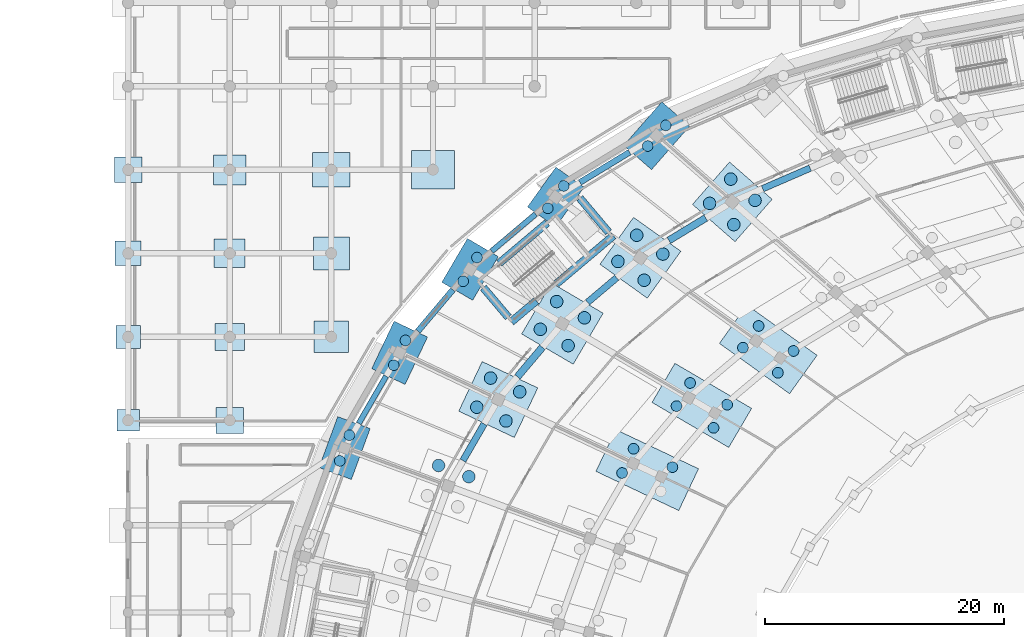
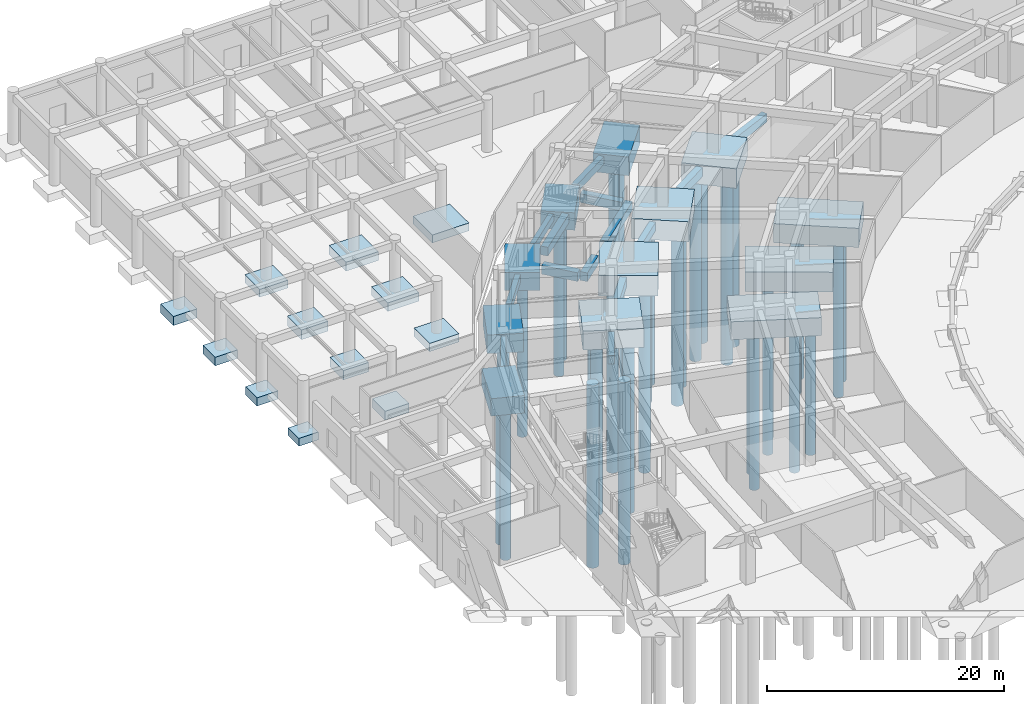
# One storey, part 9 of 88: 39 piles, 38 footings.
"""IFC4 building model written with IfcOpenShell, lengths in metres."""

from ifc_helpers import new_model, si_unit, direction, frame, origin, origin_2d, place, context, subcontext, project, spatial, rectangle, circle, extrude, material, material_profile, profile_set, type_object, element, save


model = new_model("IFC4")

# Units and contexts
model_context = context("Model", 3, precision=1e-05, world=origin(), true_north=direction((0.0, 1.0)))
body_context = subcontext(model_context, "Body", "Model", "MODEL_VIEW")
ifc_project = project(units=[si_unit("LENGTHUNIT", "METRE"), si_unit("AREAUNIT", "SQUARE_METRE"), si_unit("VOLUMEUNIT", "CUBIC_METRE"), si_unit("PLANEANGLEUNIT", "RADIAN"), si_unit("MASSUNIT", "GRAM", prefix="KILO")], contexts=[model_context])

# Site, building, storey
site_placement = place(None, origin())
site = spatial("IfcSite", under=ifc_project, at=site_placement, CompositionType="ELEMENT")
building_placement = place(site_placement, origin())
building = spatial("IfcBuilding", under=site, at=building_placement, Name="Mphavela Belvedere Stadium", CompositionType="ELEMENT")
storey_placement = place(building_placement, origin())
storey = spatial("IfcBuildingStorey", under=building, at=storey_placement, Name="L00", CompositionType="ELEMENT", Elevation=0.0)

# Footings
ifc_material_1 = material(Name="Concrete C35/45", Category="concrete")
footing_type_1 = type_object("IfcFootingType", Name="FTG-CORE-CF04", PredefinedType="PAD_FOOTING", material=ifc_material_1)
footing_1_placement = place(storey_placement, frame((33.163818359375, 134.140625, -0.89990234375), z_axis=(0.0, 0.0, 1.0), x_axis=(0.764246456939, 0.644924300253, 0.0)))
element("IfcFooting", 1, at=footing_1_placement, inside=storey, type_object=footing_type_1, Name="Core C05 shear wall foundation pad front seg 1", PredefinedType="PAD_FOOTING", context=body_context, shape_type="SweptSolid", body=[
    extrude(rectangle(XDim=2.75, YDim=0.64990234375, at=origin_2d()), origin(), (0.0, 0.0, 1.0), 0.89990234375),
])
ifc_material_2 = material(Name="Concrete C35/45", Category="concrete")
footing_type_2 = type_object("IfcFootingType", Name="FTG-CORE-CF06", PredefinedType="PAD_FOOTING", material=ifc_material_2)
footing_2_placement = place(storey_placement, frame((30.82177734375, 134.884521484375, -0.89990234375), z_axis=(0.0, 0.0, 1.0), x_axis=(-0.644924300253, 0.764246456939, 0.0)))
element("IfcFooting", 2, at=footing_2_placement, inside=storey, type_object=footing_type_2, Name="Core C05 shear wall foundation pad left", PredefinedType="PAD_FOOTING", context=body_context, shape_type="SweptSolid", body=[
    extrude(rectangle(XDim=3.25, YDim=0.64990234375, at=origin_2d()), origin(), (0.0, 0.0, 1.0), 0.89990234375),
])
ifc_material_3 = material(Name="Concrete C35/45", Category="concrete")
footing_type_3 = type_object("IfcFootingType", Name="FTG-CORE-CF08", PredefinedType="PAD_FOOTING", material=ifc_material_3)
footing_3_placement = place(storey_placement, frame((39.065673828125, 142.20263671875, -0.89990234375), z_axis=(0.0, 0.0, 1.0), x_axis=(-0.644924300253, 0.764246456939, 0.0)))
element("IfcFooting", 3, at=footing_3_placement, inside=storey, type_object=footing_type_3, Name="Core C05 shear wall foundation pad right", PredefinedType="PAD_FOOTING", context=body_context, shape_type="SweptSolid", body=[
    extrude(rectangle(XDim=3.75, YDim=0.64990234375, at=origin_2d()), origin(), (0.0, 0.0, 1.0), 0.89990234375),
])
ifc_material_4 = material(Name="Concrete C35/45", Category="concrete")
footing_type_4 = type_object("IfcFootingType", Name="FTG-CORE-CF11", PredefinedType="PAD_FOOTING", material=ifc_material_4)
footing_4_placement = place(storey_placement, frame((33.112060546875, 139.8671875, -0.89990234375), z_axis=(0.0, 0.0, 1.0), x_axis=(0.764246456939, 0.644924300253, 0.0)))
element("IfcFooting", 4, at=footing_4_placement, inside=storey, type_object=footing_type_4, Name="Core C05 shear wall foundation pad rear", PredefinedType="PAD_FOOTING", context=body_context, shape_type="SweptSolid", body=[
    extrude(rectangle(XDim=5.25, YDim=0.64990234375, at=origin_2d()), origin(), (0.0, 0.0, 1.0), 0.89990234375),
])
ifc_material_5 = material(Name="Concrete C35/45", Category="concrete")
footing_type_5 = type_object("IfcFootingType", Name="FTG-CORE-CF15", PredefinedType="PAD_FOOTING", material=ifc_material_5)
footing_5_placement = place(storey_placement, frame((38.290283203125, 138.466796875, -0.89990234375), z_axis=(0.0, 0.0, 1.0), x_axis=(0.764246456939, 0.644924300253, 0.0)))
element("IfcFooting", 5, at=footing_5_placement, inside=storey, type_object=footing_type_5, Name="Core C05 shear wall foundation pad front seg 2", PredefinedType="PAD_FOOTING", context=body_context, shape_type="SweptSolid", body=[
    extrude(rectangle(XDim=6.25, YDim=0.64990234375, at=origin_2d()), origin(), (0.0, 0.0, 1.0), 0.89990234375),
])
ifc_material_6 = material(Name="Concrete C35/45", Category="concrete")
ifc_material_profile_1 = material_profile(ifc_material_6, rectangle(XDim=0.449951171875, YDim=0.75, at=origin_2d()), Name="GB 450x750")
ifc_profile_set_1 = profile_set([ifc_material_profile_1], Name="Concrete C35/45")
footing_type_6 = type_object("IfcFootingType", Name="FTG-GB-01", PredefinedType="FOOTING_BEAM", material=ifc_profile_set_1)
footing_6_placement = place(storey_placement, frame((34.157958984375, 142.29150390625, -0.5), z_axis=(-0.764264974353, -0.644902356157, 0.0), x_axis=(0.644902356157, -0.764264974353, 0.0)))
element("IfcFooting", 6, at=footing_6_placement, inside=storey, type_object=footing_type_6, Name="Ground tie-beam R4-19", PredefinedType="FOOTING_BEAM", context=body_context, shape_type="SweptSolid", body=[
    extrude(rectangle(XDim=0.449951171875, YDim=0.75, at=origin_2d()), origin(), (0.0, 0.0, 1.0), 4.822998046875),
])
footing_7_placement = place(storey_placement, frame((21.626220703125, 128.705078125, -0.5), z_axis=(-0.500546068752, -0.865709901212, 0.0), x_axis=(0.865709901212, -0.500546068752, 0.0)))
element("IfcFooting", 7, at=footing_7_placement, inside=storey, type_object=footing_type_6, Name="Ground tie-beam R4-21", PredefinedType="FOOTING_BEAM", context=body_context, shape_type="SweptSolid", body=[
    extrude(rectangle(XDim=0.449951171875, YDim=0.75, at=origin_2d()), origin(), (0.0, 0.0, 1.0), 4.5751953125),
])
ifc_material_7 = material(Name="Concrete C35/45", Category="concrete")
ifc_material_profile_2 = material_profile(ifc_material_7, rectangle(XDim=0.5, YDim=0.800048828125, at=origin_2d()), Name="GB 500x800")
ifc_profile_set_2 = profile_set([ifc_material_profile_2], Name="Concrete C35/45")
footing_type_7 = type_object("IfcFootingType", Name="FTG-GB-02", PredefinedType="FOOTING_BEAM", material=ifc_profile_set_2)
footing_8_placement = place(storey_placement, frame((42.033935546875, 147.47998046875, -0.5), z_axis=(-0.854338785373, -0.519716499457, 0.0), x_axis=(0.519716499457, -0.854338785373, 0.0)))
element("IfcFooting", 8, at=footing_8_placement, inside=storey, type_object=footing_type_7, Name="Ground tie-beam R4-18", PredefinedType="FOOTING_BEAM", context=body_context, shape_type="SweptSolid", body=[
    extrude(rectangle(XDim=0.5, YDim=0.800048828125, at=origin_2d()), origin(), (0.0, 0.0, 1.0), 4.873779296875),
])
footing_9_placement = place(storey_placement, frame((27.220458984375, 135.94677734375, -0.5), z_axis=(-0.645158496443, -0.764048764457, 0.0), x_axis=(0.764048764457, -0.645158496443, 0.0)))
element("IfcFooting", 9, at=footing_9_placement, inside=storey, type_object=footing_type_7, Name="Ground tie-beam R4-20", PredefinedType="FOOTING_BEAM", context=body_context, shape_type="SweptSolid", body=[
    extrude(rectangle(XDim=0.5, YDim=0.800048828125, at=origin_2d()), origin(), (0.0, 0.0, 1.0), 4.540283203125),
])
ifc_material_8 = material(Name="Concrete C35/45", Category="concrete")
ifc_material_profile_3 = material_profile(ifc_material_8, rectangle(XDim=0.550048828125, YDim=0.85009765625, at=origin_2d()), Name="GB 550x850")
ifc_profile_set_3 = profile_set([ifc_material_profile_3], Name="Concrete C35/45")
footing_type_8 = type_object("IfcFootingType", Name="FTG-GB-03", PredefinedType="FOOTING_BEAM", material=ifc_profile_set_3)
footing_10_placement = place(storey_placement, frame((57.167724609375, 146.146728515625, -0.550048828125), z_axis=(-0.917491237723, -0.397755991409, 0.0), x_axis=(0.397755991409, -0.917491237723, 0.0)))
element("IfcFooting", 10, at=footing_10_placement, inside=storey, type_object=footing_type_8, Name="Ground tie-beam R3-17", PredefinedType="FOOTING_BEAM", context=body_context, shape_type="SweptSolid", body=[
    extrude(rectangle(XDim=0.550048828125, YDim=0.85009765625, at=origin_2d()), origin(), (0.0, 0.0, 1.0), 4.335205078125),
])
footing_11_placement = place(storey_placement, frame((40.95068359375, 136.9541015625, -0.550048828125), z_axis=(-0.76427616961, -0.644889088577, 0.0), x_axis=(0.644889088577, -0.76427616961, 0.0)))
element("IfcFooting", 11, at=footing_11_placement, inside=storey, type_object=footing_type_8, Name="Ground tie-beam R3-19", PredefinedType="FOOTING_BEAM", context=body_context, shape_type="SweptSolid", body=[
    extrude(rectangle(XDim=0.550048828125, YDim=0.85009765625, at=origin_2d()), origin(), (0.0, 0.0, 1.0), 3.192138671875),
])
footing_12_placement = place(storey_placement, frame((29.8408203125, 124.701416015625, -0.550048828125), z_axis=(-0.500540002691, -0.865713408529, 0.0), x_axis=(0.865713408529, -0.500540002691, 0.0)))
element("IfcFooting", 12, at=footing_12_placement, inside=storey, type_object=footing_type_8, Name="Ground tie-beam R3-21", PredefinedType="FOOTING_BEAM", context=body_context, shape_type="SweptSolid", body=[
    extrude(rectangle(XDim=0.550048828125, YDim=0.85009765625, at=origin_2d()), origin(), (0.0, 0.0, 1.0), 3.54931640625),
])
ifc_material_9 = material(Name="Concrete C35/45", Category="concrete")
ifc_material_profile_4 = material_profile(ifc_material_9, rectangle(XDim=0.60009765625, YDim=0.89990234375, at=origin_2d()), Name="GB 600x900")
ifc_profile_set_4 = profile_set([ifc_material_profile_4], Name="Concrete C35/45")
footing_type_9 = type_object("IfcFootingType", Name="FTG-GB-04", PredefinedType="FOOTING_BEAM", material=ifc_profile_set_4)
footing_13_placement = place(storey_placement, frame((48.414794921875, 141.963134765625, -0.550048828125), z_axis=(-0.854306769464, -0.519769125331, 0.0), x_axis=(0.519769125331, -0.854306769464, 0.0)))
element("IfcFooting", 13, at=footing_13_placement, inside=storey, type_object=footing_type_9, Name="Ground tie-beam R3-18", PredefinedType="FOOTING_BEAM", context=body_context, shape_type="SweptSolid", body=[
    extrude(rectangle(XDim=0.60009765625, YDim=0.89990234375, at=origin_2d()), origin(), (0.0, 0.0, 1.0), 3.615234375),
])
footing_14_placement = place(storey_placement, frame((34.720458984375, 131.125244140625, -0.550048828125), z_axis=(-0.645167110674, -0.764041490565, 0.0), x_axis=(0.764041490565, -0.645167110674, 0.0)))
element("IfcFooting", 14, at=footing_14_placement, inside=storey, type_object=footing_type_9, Name="Ground tie-beam R3-20", PredefinedType="FOOTING_BEAM", context=body_context, shape_type="SweptSolid", body=[
    extrude(rectangle(XDim=0.60009765625, YDim=0.89990234375, at=origin_2d()), origin(), (0.0, 0.0, 1.0), 3.234619140625),
])
ifc_material_10 = material(Name="Concrete C35/45", Category="concrete")
footing_type_10 = type_object("IfcFootingType", Name="FTG-PAD-01", PredefinedType="PAD_FOOTING", material=ifc_material_10)
footing_15_placement = place(storey_placement, frame((0.0, 125.0, -0.7998046875), z_axis=(0.0, 0.0, 1.0), x_axis=(1.0, 0.0, 0.0)))
element("IfcFooting", 15, at=footing_15_placement, inside=storey, type_object=footing_type_10, Name="North Mast and Ceremonial End Forecourt pad footing 1-1", PredefinedType="PAD_FOOTING", context=body_context, shape_type="SweptSolid", body=[
    extrude(rectangle(XDim=1.89990234375, YDim=1.800048828125, at=origin_2d()), origin(), (0.0, 0.0, 1.0), 0.800048828125),
])
ifc_material_11 = material(Name="Concrete C35/45", Category="concrete")
footing_type_11 = type_object("IfcFootingType", Name="FTG-PAD-02", PredefinedType="PAD_FOOTING", material=ifc_material_11)
footing_16_placement = place(storey_placement, frame((0.0, 132.0, -0.83984375), z_axis=(0.0, 0.0, 1.0), x_axis=(1.0, 0.0, 0.0)))
element("IfcFooting", 16, at=footing_16_placement, inside=storey, type_object=footing_type_11, Name="North Mast and Ceremonial End Forecourt pad footing 1-2", PredefinedType="PAD_FOOTING", context=body_context, shape_type="SweptSolid", body=[
    extrude(rectangle(XDim=2.0400390625, YDim=1.919921875, at=origin_2d()), origin(), (0.0, 0.0, 1.0), 0.840087890625),
])
ifc_material_12 = material(Name="Concrete C35/45", Category="concrete")
footing_type_12 = type_object("IfcFootingType", Name="FTG-PAD-03", PredefinedType="PAD_FOOTING", material=ifc_material_12)
footing_17_placement = place(storey_placement, frame((0.0, 139.0, -0.8798828125), z_axis=(0.0, 0.0, 1.0), x_axis=(1.0, 0.0, 0.0)))
element("IfcFooting", 17, at=footing_17_placement, inside=storey, type_object=footing_type_12, Name="North Mast and Ceremonial End Forecourt pad footing 1-3", PredefinedType="PAD_FOOTING", context=body_context, shape_type="SweptSolid", body=[
    extrude(rectangle(XDim=2.179931640625, YDim=2.0400390625, at=origin_2d()), origin(), (0.0, 0.0, 1.0), 0.8798828125),
])
ifc_material_13 = material(Name="Concrete C35/45", Category="concrete")
footing_type_13 = type_object("IfcFootingType", Name="FTG-PAD-04", PredefinedType="PAD_FOOTING", material=ifc_material_13)
for number, where, z_axis, x_axis, name in (
    (18, (0.0, 146.0, -0.919921875), (0.0, 0.0, 1.0), (1.0, 0.0, 0.0), "North Mast and Ceremonial End Forecourt pad footing 1-4"),
    (19, (8.51904296875, 125.0, -0.919921875), (0.0, 0.0, 1.0), (1.0, 0.0, 0.0), "North Mast and Ceremonial End Forecourt pad footing 2-1"),
):
    element("IfcFooting", number, at=place(storey_placement, frame(where, z_axis=z_axis, x_axis=x_axis)), inside=storey, type_object=footing_type_13, Name=name, PredefinedType="PAD_FOOTING", context=body_context, shape_type="SweptSolid", body=[
        extrude(rectangle(XDim=2.320068359375, YDim=2.159912109375, at=origin_2d()), origin(), (0.0, 0.0, 1.0), 0.919921875),
    ])
ifc_material_14 = material(Name="Concrete C35/45", Category="concrete")
footing_type_14 = type_object("IfcFootingType", Name="FTG-PAD-05", PredefinedType="PAD_FOOTING", material=ifc_material_14)
footing_18_placement = place(storey_placement, frame((8.51904296875, 132.0, -0.9599609375), z_axis=(0.0, 0.0, 1.0), x_axis=(1.0, 0.0, 0.0)))
element("IfcFooting", 20, at=footing_18_placement, inside=storey, type_object=footing_type_14, Name="North Mast and Ceremonial End Forecourt pad footing 2-2", PredefinedType="PAD_FOOTING", context=body_context, shape_type="SweptSolid", body=[
    extrude(rectangle(XDim=2.4599609375, YDim=2.280029296875, at=origin_2d()), origin(), (0.0, 0.0, 1.0), 0.9599609375),
])
ifc_material_15 = material(Name="Concrete C35/45", Category="concrete")
footing_type_15 = type_object("IfcFootingType", Name="FTG-PAD-06", PredefinedType="PAD_FOOTING", material=ifc_material_15)
footing_19_placement = place(storey_placement, frame((8.51904296875, 139.0, -1.0), z_axis=(0.0, 0.0, 1.0), x_axis=(1.0, 0.0, 0.0)))
element("IfcFooting", 21, at=footing_19_placement, inside=storey, type_object=footing_type_15, Name="North Mast and Ceremonial End Forecourt pad footing 2-3", PredefinedType="PAD_FOOTING", context=body_context, shape_type="SweptSolid", body=[
    extrude(rectangle(XDim=2.60009765625, YDim=2.39990234375, at=origin_2d()), origin(), (0.0, 0.0, 1.0), 1.0),
])
ifc_material_16 = material(Name="Concrete C35/45", Category="concrete")
footing_type_16 = type_object("IfcFootingType", Name="FTG-PAD-07", PredefinedType="PAD_FOOTING", material=ifc_material_16)
footing_20_placement = place(storey_placement, frame((8.51904296875, 146.0, -0.7998046875), z_axis=(0.0, 0.0, 1.0), x_axis=(1.0, 0.0, 0.0)))
element("IfcFooting", 22, at=footing_20_placement, inside=storey, type_object=footing_type_16, Name="North Mast and Ceremonial End Forecourt pad footing 2-4", PredefinedType="PAD_FOOTING", context=body_context, shape_type="SweptSolid", body=[
    extrude(rectangle(XDim=2.739990234375, YDim=2.52001953125, at=origin_2d()), origin(), (0.0, 0.0, 1.0), 0.800048828125),
])
ifc_material_17 = material(Name="Concrete C35/45", Category="concrete")
footing_type_17 = type_object("IfcFootingType", Name="FTG-PAD-08", PredefinedType="PAD_FOOTING", material=ifc_material_17)
footing_21_placement = place(storey_placement, frame((17.037109375, 132.0, -0.83984375), z_axis=(0.0, 0.0, 1.0), x_axis=(1.0, 0.0, 0.0)))
element("IfcFooting", 23, at=footing_21_placement, inside=storey, type_object=footing_type_17, Name="North Mast and Ceremonial End Forecourt pad footing 3-2", PredefinedType="PAD_FOOTING", context=body_context, shape_type="SweptSolid", body=[
    extrude(rectangle(XDim=2.8798828125, YDim=2.639892578125, at=origin_2d()), origin(), (0.0, 0.0, 1.0), 0.840087890625),
])
ifc_material_18 = material(Name="Concrete C35/45", Category="concrete")
footing_type_18 = type_object("IfcFootingType", Name="FTG-PAD-09", PredefinedType="PAD_FOOTING", material=ifc_material_18)
footing_22_placement = place(storey_placement, frame((17.037109375, 139.0, -0.8798828125), z_axis=(0.0, 0.0, 1.0), x_axis=(1.0, 0.0, 0.0)))
element("IfcFooting", 24, at=footing_22_placement, inside=storey, type_object=footing_type_18, Name="North Mast and Ceremonial End Forecourt pad footing 3-3", PredefinedType="PAD_FOOTING", context=body_context, shape_type="SweptSolid", body=[
    extrude(rectangle(XDim=3.02001953125, YDim=2.760009765625, at=origin_2d()), origin(), (0.0, 0.0, 1.0), 0.8798828125),
])
ifc_material_19 = material(Name="Concrete C35/45", Category="concrete")
footing_type_19 = type_object("IfcFootingType", Name="FTG-PAD-10", PredefinedType="PAD_FOOTING", material=ifc_material_19)
footing_23_placement = place(storey_placement, frame((17.037109375, 146.0, -0.919921875), z_axis=(0.0, 0.0, 1.0), x_axis=(1.0, 0.0, 0.0)))
element("IfcFooting", 25, at=footing_23_placement, inside=storey, type_object=footing_type_19, Name="North Mast and Ceremonial End Forecourt pad footing 3-4", PredefinedType="PAD_FOOTING", context=body_context, shape_type="SweptSolid", body=[
    extrude(rectangle(XDim=3.159912109375, YDim=2.8798828125, at=origin_2d()), origin(), (0.0, 0.0, 1.0), 0.919921875),
])
ifc_material_20 = material(Name="Concrete C35/45", Category="concrete")
footing_type_20 = type_object("IfcFootingType", Name="FTG-PAD-13", PredefinedType="PAD_FOOTING", material=ifc_material_20)
footing_24_placement = place(storey_placement, frame((25.555908203125, 146.0, -0.7998046875), z_axis=(0.0, 0.0, 1.0), x_axis=(1.0, 0.0, 0.0)))
element("IfcFooting", 26, at=footing_24_placement, inside=storey, type_object=footing_type_20, Name="North Mast and Ceremonial End Forecourt pad footing 4-4", PredefinedType="PAD_FOOTING", context=body_context, shape_type="SweptSolid", body=[
    extrude(rectangle(XDim=3.580078125, YDim=3.239990234375, at=origin_2d()), origin(), (0.0, 0.0, 1.0), 0.800048828125),
])
ifc_material_21 = material(Name="Concrete C35/45", Category="concrete")
footing_type_21 = type_object("IfcFootingType", Name="FTG-PC-R12-03", PredefinedType="PILE_CAP", material=ifc_material_21)
footing_25_placement = place(storey_placement, frame((53.654296875, 130.953857421875, -1.97021484375), z_axis=(0.0, 0.0, 1.0), x_axis=(-0.812897512265, 0.582406760395, 0.0)))
element("IfcFooting", 27, at=footing_25_placement, inside=storey, type_object=footing_type_21, Name="Bowl inner pile cap 19", PredefinedType="PILE_CAP", context=body_context, shape_type="SweptSolid", body=[
    extrude(rectangle(XDim=7.239990234375, YDim=3.9599609375, at=origin_2d()), origin(), (0.0, 0.0, 1.0), 1.969970703125),
])
ifc_material_22 = material(Name="Concrete C35/45", Category="concrete")
footing_type_22 = type_object("IfcFootingType", Name="FTG-PC-R12-04", PredefinedType="PILE_CAP", material=ifc_material_22)
footing_26_placement = place(storey_placement, frame((48.087890625, 126.256591796875, -2.02978515625), z_axis=(0.0, 0.0, 1.0), x_axis=(-0.862513669207, 0.506033764121, 0.0)))
element("IfcFooting", 28, at=footing_26_placement, inside=storey, type_object=footing_type_22, Name="Bowl inner pile cap 20", PredefinedType="PILE_CAP", context=body_context, shape_type="SweptSolid", body=[
    extrude(rectangle(XDim=7.4599609375, YDim=3.800048828125, at=origin_2d()), origin(), (0.0, 0.0, 1.0), 2.030029296875),
])
ifc_material_23 = material(Name="Concrete C35/45", Category="concrete")
footing_type_23 = type_object("IfcFootingType", Name="FTG-PC-R12-05", PredefinedType="PILE_CAP", material=ifc_material_23)
footing_27_placement = place(storey_placement, frame((43.51220703125, 120.837646484375, -1.85009765625), z_axis=(0.0, 0.0, 1.0), x_axis=(-0.903858661687, 0.4278311813, 0.0)))
element("IfcFooting", 29, at=footing_27_placement, inside=storey, type_object=footing_type_23, Name="Bowl inner pile cap 21", PredefinedType="PILE_CAP", context=body_context, shape_type="SweptSolid", body=[
    extrude(rectangle(XDim=7.679931640625, YDim=3.8798828125, at=origin_2d()), origin(), (0.0, 0.0, 1.0), 1.85009765625),
])
ifc_material_24 = material(Name="Concrete C35/45", Category="concrete")
footing_type_24 = type_object("IfcFootingType", Name="FTG-PC-R3-02", PredefinedType="PILE_CAP", material=ifc_material_24)
footing_28_placement = place(storey_placement, frame((50.639892578125, 143.31689453125, -2.009765625), z_axis=(0.0, 0.0, 1.0), x_axis=(-0.752529860433, 0.658558128912, 0.0)))
element("IfcFooting", 30, at=footing_28_placement, inside=storey, type_object=footing_type_24, Name="Bowl main pile cap 18", PredefinedType="PILE_CAP", context=body_context, shape_type="SweptSolid", body=[
    extrude(rectangle(XDim=4.739990234375, YDim=4.719970703125, at=origin_2d()), origin(), (0.0, 0.0, 1.0), 2.010009765625),
])
ifc_material_25 = material(Name="Concrete C35/45", Category="concrete")
footing_type_25 = type_object("IfcFootingType", Name="FTG-PC-R3-03", PredefinedType="PILE_CAP", material=ifc_material_25)
footing_29_placement = place(storey_placement, frame((42.938720703125, 138.631591796875, -2.06982421875), z_axis=(0.0, 0.0, 1.0), x_axis=(-0.812897512265, 0.582406760395, 0.0)))
element("IfcFooting", 31, at=footing_29_placement, inside=storey, type_object=footing_type_25, Name="Bowl main pile cap 19", PredefinedType="PILE_CAP", context=body_context, shape_type="SweptSolid", body=[
    extrude(rectangle(XDim=4.8798828125, YDim=4.840087890625, at=origin_2d()), origin(), (0.0, 0.0, 1.0), 2.070068359375),
])
ifc_material_26 = material(Name="Concrete C35/45", Category="concrete")
footing_type_26 = type_object("IfcFootingType", Name="FTG-PC-R3-04", PredefinedType="PILE_CAP", material=ifc_material_26)
footing_30_placement = place(storey_placement, frame((36.399658203125, 133.11376953125, -2.1298828125), z_axis=(0.0, 0.0, 1.0), x_axis=(-0.862513669207, 0.506033764121, 0.0)))
element("IfcFooting", 32, at=footing_30_placement, inside=storey, type_object=footing_type_26, Name="Bowl main pile cap 20", PredefinedType="PILE_CAP", context=body_context, shape_type="SweptSolid", body=[
    extrude(rectangle(XDim=5.02001953125, YDim=4.9599609375, at=origin_2d()), origin(), (0.0, 0.0, 1.0), 2.1298828125),
])
ifc_material_27 = material(Name="Concrete C35/45", Category="concrete")
footing_type_27 = type_object("IfcFootingType", Name="FTG-PC-R3-05", PredefinedType="PILE_CAP", material=ifc_material_27)
footing_31_placement = place(storey_placement, frame((31.0244140625, 126.748291015625, -1.9501953125), z_axis=(0.0, 0.0, 1.0), x_axis=(-0.903858661687, 0.4278311813, 0.0)))
element("IfcFooting", 33, at=footing_31_placement, inside=storey, type_object=footing_type_27, Name="Bowl main pile cap 21", PredefinedType="PILE_CAP", context=body_context, shape_type="SweptSolid", body=[
    extrude(rectangle(XDim=5.159912109375, YDim=4.60009765625, at=origin_2d()), origin(), (0.0, 0.0, 1.0), 1.949951171875),
])
ifc_material_28 = material(Name="Concrete C35/45", Category="concrete")
footing_type_28 = type_object("IfcFootingType", Name="FTG-PC-R4-01", PredefinedType="PILE_CAP", material=ifc_material_28)
footing_32_placement = place(storey_placement, frame((35.844482421875, 143.714599609375, -1.7998046875), z_axis=(0.0, 0.0, 1.0), x_axis=(-0.582406760395, -0.812897512265, 0.0)))
element("IfcFooting", 34, at=footing_32_placement, inside=storey, type_object=footing_type_28, Name="Perimeter colonnade pile cap 19", PredefinedType="PILE_CAP", context=body_context, shape_type="SweptSolid", body=[
    extrude(rectangle(XDim=4.10009765625, YDim=2.89990234375, at=origin_2d()), origin(), (0.0, 0.0, 1.0), 1.800048828125),
])
ifc_material_29 = material(Name="Concrete C35/45", Category="concrete")
footing_type_29 = type_object("IfcFootingType", Name="FTG-PC-R4-02", PredefinedType="PILE_CAP", material=ifc_material_29)
footing_33_placement = place(storey_placement, frame((28.66162109375, 137.653564453125, -1.85986328125), z_axis=(0.0, 0.0, 1.0), x_axis=(-0.506033764121, -0.862513669207, 0.0)))
element("IfcFooting", 35, at=footing_33_placement, inside=storey, type_object=footing_type_29, Name="Perimeter colonnade pile cap 20", PredefinedType="PILE_CAP", context=body_context, shape_type="SweptSolid", body=[
    extrude(rectangle(XDim=4.25, YDim=3.0, at=origin_2d()), origin(), (0.0, 0.0, 1.0), 1.860107421875),
])
ifc_material_30 = material(Name="Concrete C35/45", Category="concrete")
footing_type_30 = type_object("IfcFootingType", Name="FTG-PC-R4-03", PredefinedType="PILE_CAP", material=ifc_material_30)
footing_34_placement = place(storey_placement, frame((22.757568359375, 130.66162109375, -1.919921875), z_axis=(0.0, 0.0, 1.0), x_axis=(-0.4278311813, -0.903858661687, 0.0)))
element("IfcFooting", 36, at=footing_34_placement, inside=storey, type_object=footing_type_30, Name="Perimeter colonnade pile cap 21", PredefinedType="PILE_CAP", context=body_context, shape_type="SweptSolid", body=[
    extrude(rectangle(XDim=4.39990234375, YDim=3.10009765625, at=origin_2d()), origin(), (0.0, 0.0, 1.0), 1.919921875),
])
ifc_material_31 = material(Name="Concrete C35/45", Category="concrete")
footing_type_31 = type_object("IfcFootingType", Name="FTG-PC-R4-04", PredefinedType="PILE_CAP", material=ifc_material_31)
footing_35_placement = place(storey_placement, frame((18.143798828125, 122.682373046875, -1.7998046875), z_axis=(0.0, 0.0, 1.0), x_axis=(-0.34562577382, -0.938372433776, 0.0)))
element("IfcFooting", 37, at=footing_35_placement, inside=storey, type_object=footing_type_31, Name="Perimeter colonnade pile cap 22", PredefinedType="PILE_CAP", context=body_context, shape_type="SweptSolid", body=[
    extrude(rectangle(XDim=4.550048828125, YDim=2.89990234375, at=origin_2d()), origin(), (0.0, 0.0, 1.0), 1.800048828125),
])
ifc_material_32 = material(Name="Concrete C35/45", Category="concrete")
footing_type_32 = type_object("IfcFootingType", Name="FTG-PC-R4-06", PredefinedType="PILE_CAP", material=ifc_material_32)
footing_36_placement = place(storey_placement, frame((44.3037109375, 148.86083984375, -1.919921875), z_axis=(0.0, 0.0, 1.0), x_axis=(-0.658558128912, -0.752529860433, 0.0)))
element("IfcFooting", 38, at=footing_36_placement, inside=storey, type_object=footing_type_32, Name="Perimeter colonnade pile cap 18", PredefinedType="PILE_CAP", context=body_context, shape_type="SweptSolid", body=[
    extrude(rectangle(XDim=4.85009765625, YDim=3.10009765625, at=origin_2d()), origin(), (0.0, 0.0, 1.0), 1.919921875),
])

# Piles
ifc_material_33 = material(Name="Concrete C35/45", Category="concrete")
ifc_material_profile_5 = material_profile(ifc_material_33, circle(Radius=0.52490234375, at=origin_2d()), Name="BP D1050")
ifc_profile_set_5 = profile_set([ifc_material_profile_5], Name="Concrete C35/45")
pile_type_1 = type_object("IfcPileType", Name="PIL-BP1050-A", PredefinedType="BORED", material=ifc_profile_set_5)
for number, where, z_axis, x_axis, name in (
    (39, (44.822265625, 138.942626953125, -1.969970703125), (0.0, 0.0, -1.0), (1.0, 0.0, 0.0), "Bored pile R3-19-1"),
    (40, (43.249755859375, 136.747802734375, -1.969970703125), (0.0, 0.0, -1.0), (1.0, 0.0, 0.0), "Bored pile R3-19-2"),
    (41, (42.62744140625, 140.515380859375, -1.969970703125), (0.0, 0.0, -1.0), (1.0, 0.0, 0.0), "Bored pile R3-19-3"),
    (42, (41.054931640625, 138.320556640625, -1.969970703125), (0.0, 0.0, -1.0), (1.0, 0.0, 0.0), "Bored pile R3-19-4"),
    (43, (32.822265625, 127.39111328125, -1.85009765625), (0.0, 0.0, -1.0), (1.0, 0.0, 0.0), "Bored pile R3-21-1"),
    (44, (31.6669921875, 124.95068359375, -1.85009765625), (0.0, 0.0, -1.0), (1.0, 0.0, 0.0), "Bored pile R3-21-2"),
    (45, (30.3818359375, 128.546142578125, -1.85009765625), (0.0, 0.0, -1.0), (1.0, 0.0, 0.0), "Bored pile R3-21-3"),
    (46, (29.226806640625, 126.105712890625, -1.85009765625), (0.0, 0.0, -1.0), (1.0, 0.0, 0.0), "Bored pile R3-21-4"),
):
    element("IfcPile", number, at=place(storey_placement, frame(where, z_axis=z_axis, x_axis=x_axis)), inside=storey, type_object=pile_type_1, Name=name, PredefinedType="BORED", context=body_context, shape_type="SweptSolid", body=[
        extrude(circle(Radius=0.52490234375, at=origin_2d()), origin(), (0.0, 0.0, 1.0), 17.5),
    ])
ifc_material_34 = material(Name="Concrete C35/45", Category="concrete")
ifc_material_profile_6 = material_profile(ifc_material_34, circle(Radius=0.52490234375, at=origin_2d()), Name="BP D1050")
ifc_profile_set_6 = profile_set([ifc_material_profile_6], Name="Concrete C35/45")
pile_type_2 = type_object("IfcPileType", Name="PIL-BP1050-B", PredefinedType="BORED", material=ifc_profile_set_6)
for number, where, z_axis, x_axis, name in (
    (47, (52.544921875, 143.44384765625, -1.909912109375), (0.0, 0.0, -1.0), (1.0, 0.0, 0.0), "Bored pile R3-18-1"),
    (48, (50.766845703125, 141.411865234375, -1.909912109375), (0.0, 0.0, -1.0), (1.0, 0.0, 0.0), "Bored pile R3-18-2"),
    (49, (50.5126953125, 145.2216796875, -1.909912109375), (0.0, 0.0, -1.0), (1.0, 0.0, 0.0), "Bored pile R3-18-3"),
    (50, (48.73486328125, 143.189697265625, -1.909912109375), (0.0, 0.0, -1.0), (1.0, 0.0, 0.0), "Bored pile R3-18-4"),
    (51, (38.2470703125, 133.59521484375, -2.030029296875), (0.0, 0.0, -1.0), (1.0, 0.0, 0.0), "Bored pile R3-20-1"),
    (52, (36.880859375, 131.266357421875, -2.030029296875), (0.0, 0.0, -1.0), (1.0, 0.0, 0.0), "Bored pile R3-20-2"),
    (53, (35.918212890625, 134.961181640625, -2.030029296875), (0.0, 0.0, -1.0), (1.0, 0.0, 0.0), "Bored pile R3-20-3"),
    (54, (34.552001953125, 132.632568359375, -2.030029296875), (0.0, 0.0, -1.0), (1.0, 0.0, 0.0), "Bored pile R3-20-4"),
    (55, (28.557861328125, 120.284423828125, -1.909912109375), (0.0, 0.0, -1.0), (1.0, 0.0, 0.0), "Bored pile R3-22-1"),
    (56, (26.0244140625, 121.2177734375, -1.909912109375), (0.0, 0.0, -1.0), (1.0, 0.0, 0.0), "Bored pile R3-22-3"),
):
    element("IfcPile", number, at=place(storey_placement, frame(where, z_axis=z_axis, x_axis=x_axis)), inside=storey, type_object=pile_type_2, Name=name, PredefinedType="BORED", context=body_context, shape_type="SweptSolid", body=[
        extrude(circle(Radius=0.52490234375, at=origin_2d()), origin(), (0.0, 0.0, 1.0), 18.800048828125),
    ])
ifc_material_35 = material(Name="Concrete C35/45", Category="concrete")
ifc_material_profile_7 = material_profile(ifc_material_35, circle(Radius=0.449951171875, at=origin_2d()), Name="BP D900")
ifc_profile_set_7 = profile_set([ifc_material_profile_7], Name="Concrete C35/45")
pile_type_3 = type_object("IfcPileType", Name="PIL-BP900-A", PredefinedType="BORED", material=ifc_profile_set_7)
for number, where, z_axis, x_axis, name in (
    (57, (45.06103515625, 149.726318359375, -1.820068359375), (0.0, 0.0, -1.0), (1.0, 0.0, 0.0), "Bored pile R4-18-1"),
    (58, (43.54638671875, 147.995361328125, -1.820068359375), (0.0, 0.0, -1.0), (1.0, 0.0, 0.0), "Bored pile R4-18-2"),
):
    element("IfcPile", number, at=place(storey_placement, frame(where, z_axis=z_axis, x_axis=x_axis)), inside=storey, type_object=pile_type_3, Name=name, PredefinedType="BORED", context=body_context, shape_type="SweptSolid", body=[
        extrude(circle(Radius=0.449951171875, at=origin_2d()), origin(), (0.0, 0.0, 1.0), 15.60009765625),
    ])
for number, where, z_axis, x_axis, name in (
    (59, (55.772705078125, 130.81982421875, -1.8701171875), (0.0, 0.0, -1.0), (1.0, 0.0, 0.0), "Bored pile R12-19-1"),
    (60, (54.46240234375, 128.990966796875, -1.8701171875), (0.0, 0.0, -1.0), (1.0, 0.0, 0.0), "Bored pile R12-19-2"),
    (61, (52.846435546875, 132.916748046875, -1.8701171875), (0.0, 0.0, -1.0), (1.0, 0.0, 0.0), "Bored pile R12-19-3"),
    (62, (51.535888671875, 131.087646484375, -1.8701171875), (0.0, 0.0, -1.0), (1.0, 0.0, 0.0), "Bored pile R12-19-4"),
):
    element("IfcPile", number, at=place(storey_placement, frame(where, z_axis=z_axis, x_axis=x_axis)), inside=storey, type_object=pile_type_3, Name=name, PredefinedType="BORED", context=body_context, shape_type="SweptSolid", body=[
        extrude(circle(Radius=0.449951171875, at=origin_2d()), origin(), (0.0, 0.0, 1.0), 16.0),
    ])
for number, where, z_axis, x_axis, name in (
    (63, (36.51416015625, 144.6494140625, -1.699951171875), (0.0, 0.0, -1.0), (1.0, 0.0, 0.0), "Bored pile R4-19-1"),
    (64, (35.174560546875, 142.77978515625, -1.699951171875), (0.0, 0.0, -1.0), (1.0, 0.0, 0.0), "Bored pile R4-19-2"),
    (65, (29.24365234375, 138.6455078125, -1.760009765625), (0.0, 0.0, -1.0), (1.0, 0.0, 0.0), "Bored pile R4-20-1"),
    (66, (28.079833984375, 136.66162109375, -1.760009765625), (0.0, 0.0, -1.0), (1.0, 0.0, 0.0), "Bored pile R4-20-2"),
):
    element("IfcPile", number, at=place(storey_placement, frame(where, z_axis=z_axis, x_axis=x_axis)), inside=storey, type_object=pile_type_3, Name=name, PredefinedType="BORED", context=body_context, shape_type="SweptSolid", body=[
        extrude(circle(Radius=0.449951171875, at=origin_2d()), origin(), (0.0, 0.0, 1.0), 15.60009765625),
    ])
for number, where, z_axis, x_axis, name in (
    (67, (45.620361328125, 121.08447265625, -1.75), (0.0, 0.0, -1.0), (1.0, 0.0, 0.0), "Bored pile R12-21-1"),
    (68, (42.366455078125, 122.62451171875, -1.75), (0.0, 0.0, -1.0), (1.0, 0.0, 0.0), "Bored pile R12-21-3"),
    (69, (41.40380859375, 120.5908203125, -1.75), (0.0, 0.0, -1.0), (1.0, 0.0, 0.0), "Bored pile R12-21-4"),
):
    element("IfcPile", number, at=place(storey_placement, frame(where, z_axis=z_axis, x_axis=x_axis)), inside=storey, type_object=pile_type_3, Name=name, PredefinedType="BORED", context=body_context, shape_type="SweptSolid", body=[
        extrude(circle(Radius=0.449951171875, at=origin_2d()), origin(), (0.0, 0.0, 1.0), 16.0),
    ])
for number, where, z_axis, x_axis, name in (
    (70, (23.24951171875, 131.700927734375, -1.820068359375), (0.0, 0.0, -1.0), (1.0, 0.0, 0.0), "Bored pile R4-21-1"),
    (71, (22.265380859375, 129.6220703125, -1.820068359375), (0.0, 0.0, -1.0), (1.0, 0.0, 0.0), "Bored pile R4-21-2"),
    (72, (18.54150390625, 123.761474609375, -1.699951171875), (0.0, 0.0, -1.0), (1.0, 0.0, 0.0), "Bored pile R4-22-1"),
    (73, (17.746337890625, 121.603271484375, -1.699951171875), (0.0, 0.0, -1.0), (1.0, 0.0, 0.0), "Bored pile R4-22-2"),
):
    element("IfcPile", number, at=place(storey_placement, frame(where, z_axis=z_axis, x_axis=x_axis)), inside=storey, type_object=pile_type_3, Name=name, PredefinedType="BORED", context=body_context, shape_type="SweptSolid", body=[
        extrude(circle(Radius=0.449951171875, at=origin_2d()), origin(), (0.0, 0.0, 1.0), 15.60009765625),
    ])
ifc_material_36 = material(Name="Concrete C35/45", Category="concrete")
ifc_material_profile_8 = material_profile(ifc_material_36, circle(Radius=0.449951171875, at=origin_2d()), Name="BP D900")
ifc_profile_set_8 = profile_set([ifc_material_profile_8], Name="Concrete C35/45")
pile_type_4 = type_object("IfcPileType", Name="PIL-BP900-B", PredefinedType="BORED", material=ifc_profile_set_8)
for number, where, z_axis, x_axis, name in (
    (74, (50.209716796875, 126.31591796875, -1.929931640625), (0.0, 0.0, -1.0), (1.0, 0.0, 0.0), "Bored pile R12-20-1"),
    (75, (49.071044921875, 124.375244140625, -1.929931640625), (0.0, 0.0, -1.0), (1.0, 0.0, 0.0), "Bored pile R12-20-2"),
    (76, (47.1044921875, 128.1376953125, -1.929931640625), (0.0, 0.0, -1.0), (1.0, 0.0, 0.0), "Bored pile R12-20-3"),
    (77, (45.966064453125, 126.197021484375, -1.929931640625), (0.0, 0.0, -1.0), (1.0, 0.0, 0.0), "Bored pile R12-20-4"),
):
    element("IfcPile", number, at=place(storey_placement, frame(where, z_axis=z_axis, x_axis=x_axis)), inside=storey, type_object=pile_type_4, Name=name, PredefinedType="BORED", context=body_context, shape_type="SweptSolid", body=[
        extrude(circle(Radius=0.449951171875, at=origin_2d()), origin(), (0.0, 0.0, 1.0), 17.199951171875),
    ])

save(model, "model.ifc")
